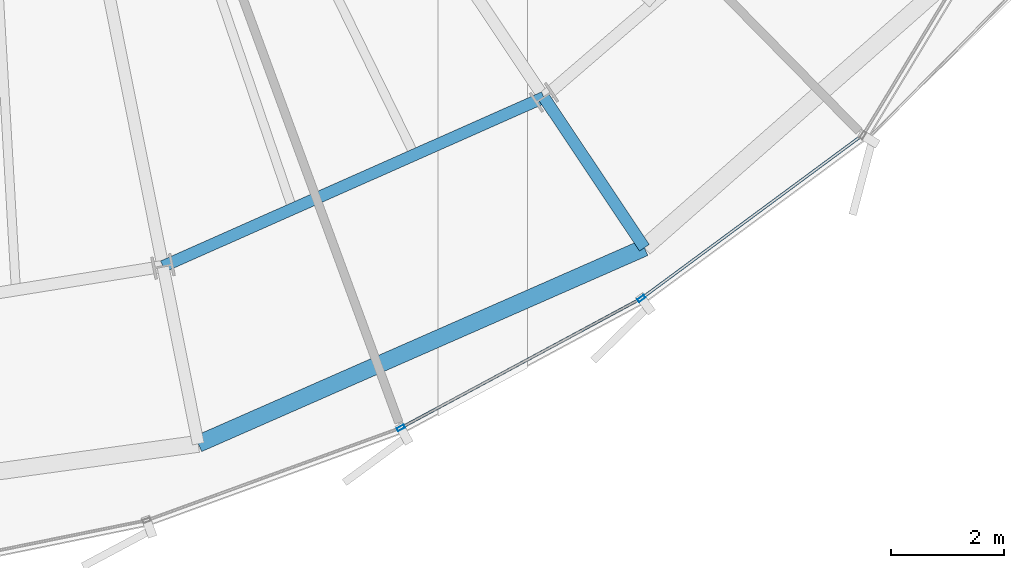
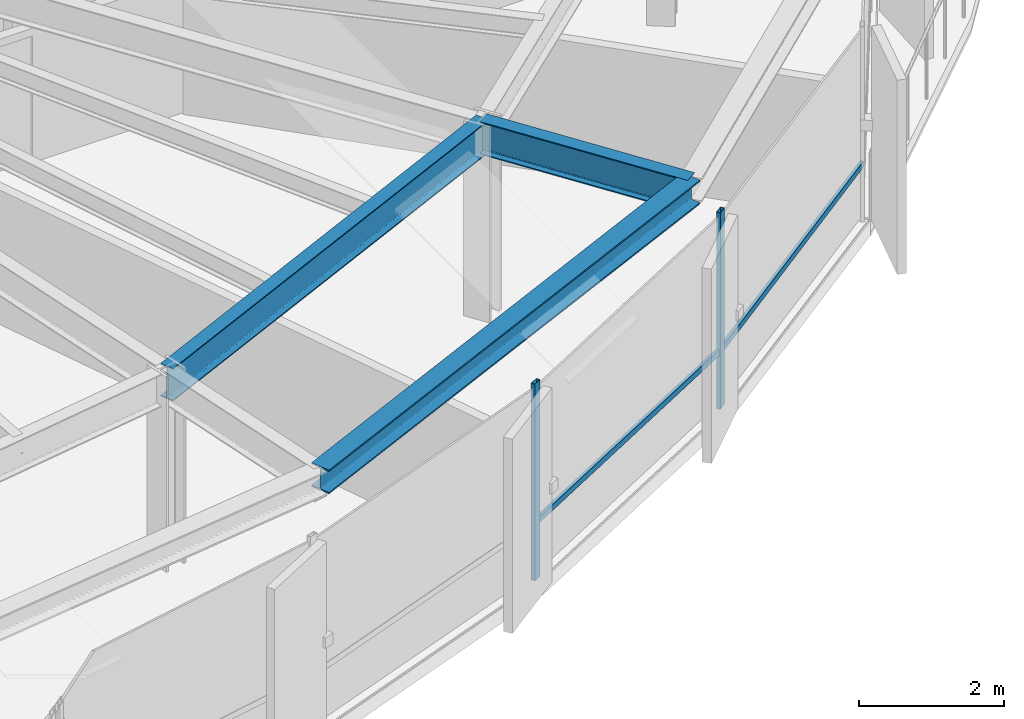
# One storey, part 13 of 36: 4 members, 3 beams, 1 element without a shape of its own.
"""IFC4 building model written with IfcOpenShell, lengths in metres."""

from ifc_helpers import new_model, si_unit, direction, frame, origin, origin_2d, place, context, subcontext, project, spatial, hollow_rectangle, i_section, extrude, source, transform, mapped, material, layer, layer_set, material_profile, profile_set, type_object, element, aggregate, save


model = new_model("IFC4")

# Units and contexts
model_context = context("Model", 3, precision=1e-05, world=origin(), true_north=direction((0.0, 1.0)))
body_context = subcontext(model_context, "Body", "Model", "MODEL_VIEW")
ifc_project = project(units=[si_unit("LENGTHUNIT", "METRE"), si_unit("AREAUNIT", "SQUARE_METRE"), si_unit("VOLUMEUNIT", "CUBIC_METRE"), si_unit("PLANEANGLEUNIT", "RADIAN"), si_unit("MASSUNIT", "GRAM", prefix="KILO"), si_unit("THERMODYNAMICTEMPERATUREUNIT", "KELVIN")], contexts=[model_context])

# Site, building, storey
site_placement = place(None, origin())
site = spatial("IfcSite", under=ifc_project, at=site_placement, CompositionType="ELEMENT")
building_placement = place(site_placement, origin())
building = spatial("IfcBuilding", under=site, at=building_placement, Name="Kethvar Cultural Tower", CompositionType="ELEMENT")
storey_placement = place(building_placement, frame((0.0, 0.0, 164.300048828125)))
storey = spatial("IfcBuildingStorey", under=building, at=storey_placement, Name="L42", CompositionType="ELEMENT", Elevation=164.300048828125)

# Beams
ifc_material_1 = material(Name="Steel S355J2", Category="steel")
ifc_material_profile_1 = material_profile(ifc_material_1, i_section(OverallWidth=0.2099609375, OverallDepth=0.550048828125, WebThickness=0.010986328125, FlangeThickness=0.01708984375, FilletRadius=0.02392578125, at=origin_2d()), Name="Steel S355J2 — IPE550")
ifc_profile_set_1 = profile_set([ifc_material_profile_1], Name="Steel S355J2 — IPE550")
beam_type_1 = type_object("IfcBeamType", Name="BM-IPE550", PredefinedType="BEAM", material=ifc_profile_set_1)
shared_shape_1 = source(origin(), body_context, "Body", "SweptSolid", [
    extrude(i_section(OverallWidth=0.2099609375, OverallDepth=0.550048828125, WebThickness=0.010986328125, FlangeThickness=0.01708984375, FilletRadius=0.02392578125, at=origin_2d()), origin(), (0.0, 0.0, 1.0), 3.199951171875),
])
beam_1_placement = place(storey_placement, frame((57.241943359375, 12.17236328125, 3.02294921875), z_axis=(0.555580212716, -0.831462943996, 0.0), x_axis=(0.831462943996, 0.555580212716, 0.0)))
element("IfcBeam", 1, at=beam_1_placement, inside=storey, type_object=beam_type_1, Name="L42 Perimeter Cantilever Beam RC-14", PredefinedType="BEAM", context=body_context, shape_type="MappedRepresentation", body=[
    mapped(shared_shape_1, transform((0.0, 0.0, 0.0), scale=1.0)),
])
shared_shape_2 = source(origin(), body_context, "Body", "SweptSolid", [
    extrude(i_section(OverallWidth=0.2099609375, OverallDepth=0.550048828125, WebThickness=0.010986328125, FlangeThickness=0.01708984375, FilletRadius=0.02392578125, at=origin_2d()), origin(), (0.0, 0.0, 1.0), 7.3720703125),
])
beam_2_placement = place(storey_placement, frame((50.50341796875, 9.182373046875, 3.02294921875), z_axis=(0.914058560918, 0.405582232367, 0.0), x_axis=(-0.405582232367, 0.914058560918, 0.0)))
element("IfcBeam", 2, at=beam_2_placement, inside=storey, type_object=beam_type_1, Name="L42 Column Ring Tie Beam CR-13", PredefinedType="BEAM", context=body_context, shape_type="MappedRepresentation", body=[
    mapped(shared_shape_2, transform((0.0, 0.0, 0.0), scale=1.0)),
])
ifc_material_profile_2 = material_profile(ifc_material_1, i_section(OverallWidth=0.300048828125, OverallDepth=0.39990234375, WebThickness=0.013427734375, FlangeThickness=0.02392578125, FilletRadius=0.027099609375, at=origin_2d()), Name="Steel S355J2 — HEB400")
ifc_profile_set_2 = profile_set([ifc_material_profile_2], Name="Steel S355J2 — HEB400")
beam_type_2 = type_object("IfcBeamType", Name="BM-SP400", PredefinedType="SPANDREL", material=ifc_profile_set_2)
shared_shape_3 = source(origin(), body_context, "Body", "SweptSolid", [
    extrude(i_section(OverallWidth=0.300048828125, OverallDepth=0.39990234375, WebThickness=0.013427734375, FlangeThickness=0.02392578125, FilletRadius=0.027099609375, at=origin_2d()), origin(), (0.0, 0.0, 1.0), 8.620361328125),
])
beam_3_placement = place(storey_placement, frame((51.127685546875, 6.043701171875, 3.097900390625), z_axis=(0.915507442902, 0.402301034041, 0.0), x_axis=(-0.402301034041, 0.915507442902, 0.0)))
element("IfcBeam", 3, at=beam_3_placement, inside=storey, type_object=beam_type_2, Name="L42 Perimeter Spandrel Beam SP-13", PredefinedType="SPANDREL", context=body_context, shape_type="MappedRepresentation", body=[
    mapped(shared_shape_3, transform((0.0, 0.0, 0.0), scale=1.0)),
])

# Curtain wall, members
ifc_material_2 = material(Name="Aluminium 6063-T6", Category="aluminium")
ifc_layer = layer(ifc_material_2, 0.179931640625, Name="Aluminium 6063-T6", Category="aluminium")
ifc_layer_set = layer_set([ifc_layer], Name="Aluminium 6063-T6 (180 mm)")
curtain_wall_type = type_object("IfcCurtainWallType", Name="CW-SYS-04-Z34", PredefinedType="NOTDEFINED", material=ifc_layer_set)
curtain_wall_placement = place(storey_placement, origin())
curtain_wall = element("IfcCurtainWall", 4, at=curtain_wall_placement, inside=storey, type_object=curtain_wall_type, Name="L42 Curtain Wall Run 05", PredefinedType="NOTDEFINED")
ifc_material_profile_3 = material_profile(ifc_material_2, hollow_rectangle(XDim=0.06005859375, YDim=0.139892578125, WallThickness=0.0048828125, at=origin_2d()), Name="Aluminium 6063-T6 — RHS140x60x5")
ifc_profile_set_3 = profile_set([ifc_material_profile_3], Name="Aluminium 6063-T6 — RHS140x60x5")
member_type_1 = type_object("IfcMemberType", Name="CW-SYS-04-Z34-MUL", PredefinedType="MULLION", material=ifc_profile_set_3)
shared_shape_4 = source(origin(), body_context, "Body", "SweptSolid", [
    extrude(hollow_rectangle(XDim=0.06005859375, YDim=0.139892578125, WallThickness=0.0048828125, at=origin_2d()), origin(), (0.0, 0.0, 1.0), 3.300048828125),
])
member_1_placement = place(storey_placement, frame((54.710693359375, 6.32568359375, 0.0), z_axis=(0.0, 0.0, 1.0), x_axis=(-0.474042106711, 0.880502175503, 0.0)))
member_1 = element("IfcMember", 5, at=member_1_placement, type_object=member_type_1, Name="CW-L42-R05 Mullion 3", PredefinedType="MULLION", context=body_context, shape_type="MappedRepresentation", body=[
    mapped(shared_shape_4, transform((0.0, 0.0, 0.0), scale=1.0)),
])
member_2_placement = place(storey_placement, frame((58.9658203125, 8.615478515625, 0.0), z_axis=(0.0, 0.0, 1.0), x_axis=(-0.594149140547, 0.804354896043, 0.0)))
member_2 = element("IfcMember", 6, at=member_2_placement, type_object=member_type_1, Name="CW-L42-R05 Mullion 4", PredefinedType="MULLION", context=body_context, shape_type="MappedRepresentation", body=[
    mapped(shared_shape_4, transform((0.0, 0.0, 0.0), scale=1.0)),
])
ifc_material_profile_4 = material_profile(ifc_material_2, hollow_rectangle(XDim=0.050048828125, YDim=0.10009765625, WallThickness=0.00390625, at=origin_2d()), Name="Aluminium 6063-T6 — RHS100x50x4")
ifc_profile_set_4 = profile_set([ifc_material_profile_4], Name="Aluminium 6063-T6 — RHS100x50x4")
member_type_2 = type_object("IfcMemberType", Name="CW-SYS-04-Z34-TRN", PredefinedType="USERDEFINED", material=ifc_profile_set_4)
shared_shape_5 = source(origin(), body_context, "Body", "SweptSolid", [
    extrude(hollow_rectangle(XDim=0.050048828125, YDim=0.10009765625, WallThickness=0.00390625, at=origin_2d()), origin(), (0.0, 0.0, 1.0), 4.8212890625),
])
member_3_placement = place(storey_placement, frame((59.00048828125, 8.64111328125, 0.949951171875), z_axis=(0.804371837238, 0.594126204993, 0.0), x_axis=(-0.594126204993, 0.804371837238, 0.0)))
member_3 = element("IfcMember", 7, at=member_3_placement, type_object=member_type_2, Name="CW-L42-R05 Transom 4", ObjectType="TRANSOM", PredefinedType="USERDEFINED", context=body_context, shape_type="MappedRepresentation", body=[
    mapped(shared_shape_5, transform((0.0, 0.0, 0.0), scale=1.0)),
])
shared_shape_6 = source(origin(), body_context, "Body", "SweptSolid", [
    extrude(hollow_rectangle(XDim=0.050048828125, YDim=0.10009765625, WallThickness=0.00390625, at=origin_2d()), origin(), (0.0, 0.0, 1.0), 4.76123046875),
])
member_4_placement = place(storey_placement, frame((54.748779296875, 6.34619140625, 0.949951171875), z_axis=(0.88049085757, 0.474063128428, 0.0), x_axis=(-0.474063128428, 0.88049085757, 0.0)))
member_4 = element("IfcMember", 8, at=member_4_placement, type_object=member_type_2, Name="CW-L42-R05 Transom 3", ObjectType="TRANSOM", PredefinedType="USERDEFINED", context=body_context, shape_type="MappedRepresentation", body=[
    mapped(shared_shape_6, transform((0.0, 0.0, 0.0), scale=1.0)),
])
aggregate(curtain_wall, [member_1, member_2, member_4, member_3])

save(model, "model.ifc")
